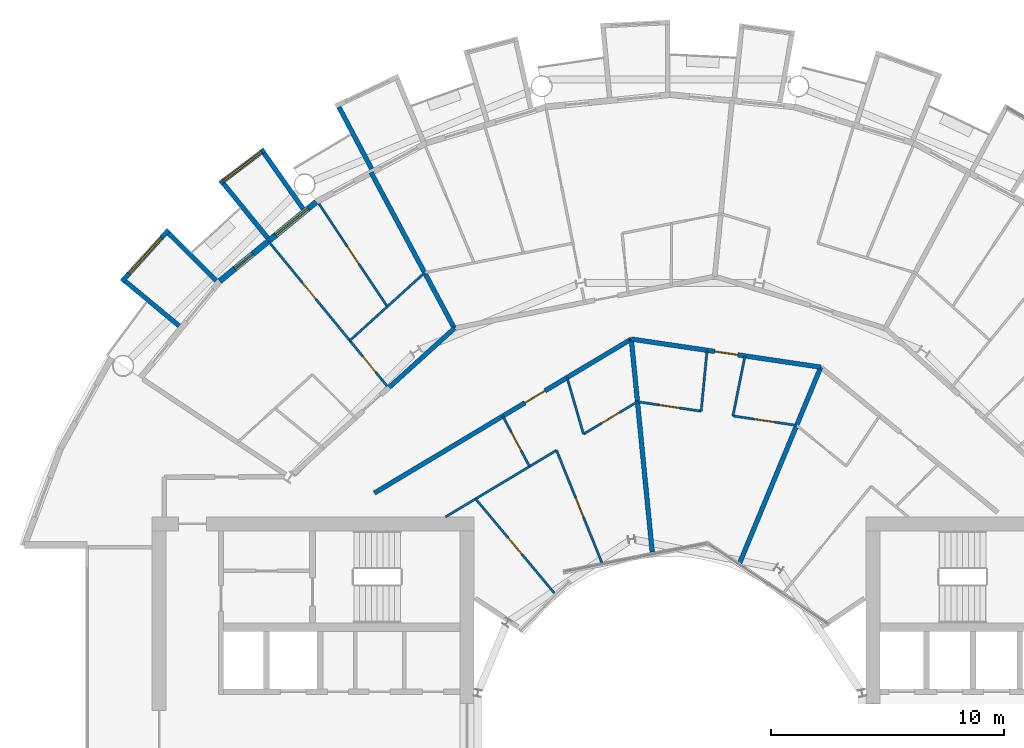
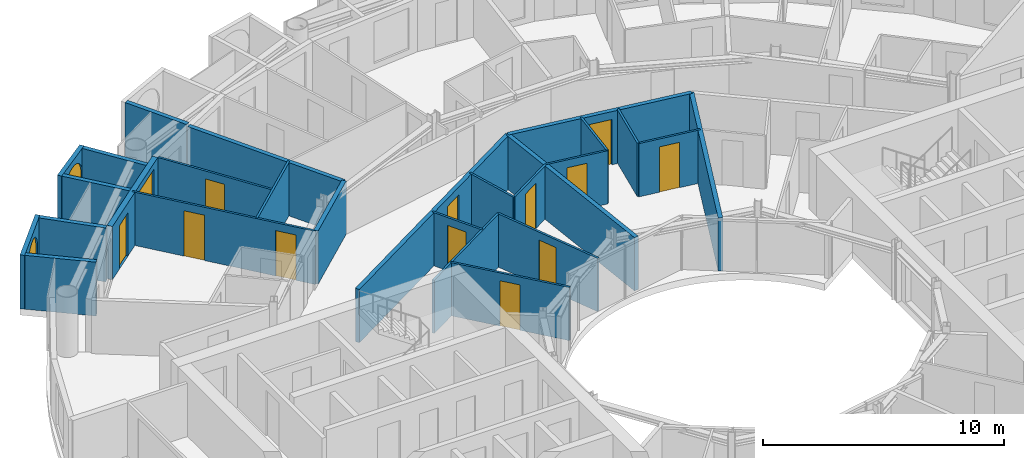
# One storey, part 20 of 28: 27 walls, 12 doors, 3 windows, 15 openings.
"""IFC4 building model written with IfcOpenShell, lengths in metres."""

from ifc_helpers import new_model, si_unit, direction, frame, frame_2d, origin, place, context, subcontext, project, spatial, rectangle, circle, extrude, material, layer, layer_set, type_object, element, fill, save


model = new_model("IFC4")

# Units and contexts
model_context = context("Model", 3, precision=1e-05, world=origin(), true_north=direction((0.0, 1.0)))
body_context = subcontext(model_context, "Body", "Model", "MODEL_VIEW")
ifc_project = project(units=[si_unit("LENGTHUNIT", "METRE"), si_unit("AREAUNIT", "SQUARE_METRE"), si_unit("VOLUMEUNIT", "CUBIC_METRE"), si_unit("PLANEANGLEUNIT", "RADIAN"), si_unit("MASSUNIT", "GRAM", prefix="KILO")], contexts=[model_context])

# Site, building, storey
site_placement = place(None, origin())
site = spatial("IfcSite", under=ifc_project, at=site_placement, CompositionType="ELEMENT")
building_placement = place(site_placement, origin())
building = spatial("IfcBuilding", under=site, at=building_placement, Name="Maasbend Ring Residences", CompositionType="ELEMENT")
storey_placement = place(building_placement, frame((0.0, 0.0, 133.0)))
storey = spatial("IfcBuildingStorey", under=building, at=storey_placement, Name="L38", CompositionType="ELEMENT", Elevation=133.0)

# Wall, opening, door
ifc_material_1 = material(Name="Concrete C30/37", Category="concrete")
ifc_layer_1 = layer(ifc_material_1, 0.199951171875)
ifc_layer_set_1 = layer_set([ifc_layer_1], Name="Concrete C30/37")
wall_type_1 = type_object("IfcWallType", Name="CORRIDOR WALL 200 CONCRETE", PredefinedType="PARTITIONING", material=ifc_layer_set_1)
wall_1_placement = place(storey_placement, frame((-12.675048828125, 10.215087890625, 0.0), z_axis=(0.0, 0.0, 1.0), x_axis=(0.85772761283, 0.514104407867, 0.0)))
wall_1 = element("IfcWall", 1, at=wall_1_placement, inside=storey, type_object=wall_type_1, Name="U-L38-w106", PredefinedType="PARTITIONING", context=body_context, shape_type="SweptSolid", body=[
    extrude(rectangle(XDim=12.845703125, YDim=0.199951171875, at=frame_2d((6.4228515625, 0.0))), origin(), (0.0, 0.0, 1.0), 2.699951171875),
])
opening_1_placement = place(wall_1_placement, frame((7.529052734375, 0.0, 0.0)))
opening_1 = element("IfcOpeningElement", 2, at=opening_1_placement, cuts=wall_1, Name="Opening D-3831", PredefinedType="OPENING", context=body_context, shape_type="SweptSolid", body=[
    extrude(rectangle(XDim=1.0, YDim=2.300048828125, at=frame_2d((0.5, 1.14990234375))), frame((0.0, 0.10986328125, 0.0), z_axis=(0.0, -1.0, 0.0), x_axis=(1.0, 0.0, 0.0)), (0.0, 0.0, 1.0), 0.219970703125),
])
ifc_material_2 = material(Name="Timber, fire-rated, painted", Category="wood")
door_type_1 = type_object("IfcDoorType", Name="FLAT ENTRANCE DOOR 1000 X 2300 FIRE-RATED", OperationType="NOTDEFINED", PredefinedType="DOOR", material=ifc_material_2)
door_1_placement = place(opening_1_placement, origin())
door_1 = element("IfcDoor", 3, at=door_1_placement, inside=storey, type_object=door_type_1, Name="D-3831", OperationType="SINGLE_SWING_RIGHT", OverallHeight=2.300048828125, OverallWidth=1.0, PredefinedType="DOOR", context=body_context, shape_type="SweptSolid", body=[
    extrude(rectangle(XDim=1.0, YDim=2.300048828125, at=frame_2d((0.5, 1.14990234375))), frame((0.0, 0.02490234375, 0.0), z_axis=(0.0, -1.0, 0.0), x_axis=(1.0, 0.0, 0.0)), (0.0, 0.0, 1.0), 0.050048828125),
])
fill(opening_1, door_1)

wall_2_placement = place(storey_placement, frame((-1.656005859375, 16.819091796875, 0.0), z_axis=(0.0, 0.0, 1.0), x_axis=(0.989174071716, -0.146746910856, 0.0)))
wall_2 = element("IfcWall", 4, at=wall_2_placement, inside=storey, type_object=wall_type_1, Name="U-L38-w108", PredefinedType="PARTITIONING", context=body_context, shape_type="SweptSolid", body=[
    extrude(rectangle(XDim=8.2119140625, YDim=0.199951171875, at=frame_2d((4.10595703125, 0.0))), origin(), (0.0, 0.0, 1.0), 2.699951171875),
])
opening_2_placement = place(wall_2_placement, frame((3.614013671875, 0.0, 0.0)))
opening_2 = element("IfcOpeningElement", 5, at=opening_2_placement, cuts=wall_2, Name="Opening D-3828", PredefinedType="OPENING", context=body_context, shape_type="SweptSolid", body=[
    extrude(rectangle(XDim=1.0, YDim=2.300048828125, at=frame_2d((0.5, 1.14990234375))), frame((0.0, 0.10986328125, 0.0), z_axis=(0.0, -1.0, 0.0), x_axis=(1.0, 0.0, 0.0)), (0.0, 0.0, 1.0), 0.219970703125),
])
door_2_placement = place(opening_2_placement, origin())
door_2 = element("IfcDoor", 6, at=door_2_placement, inside=storey, type_object=door_type_1, Name="D-3828", OperationType="SINGLE_SWING_RIGHT", OverallHeight=2.300048828125, OverallWidth=1.0, PredefinedType="DOOR", context=body_context, shape_type="SweptSolid", body=[
    extrude(rectangle(XDim=1.0, YDim=2.300048828125, at=frame_2d((0.5, 1.14990234375))), frame((0.0, 0.02490234375, 0.0), z_axis=(0.0, -1.0, 0.0), x_axis=(1.0, 0.0, 0.0)), (0.0, 0.0, 1.0), 0.050048828125),
])
fill(opening_2, door_2)

# Walls
wall_3_placement = place(storey_placement, frame((-12.055908203125, 14.73095703125, 0.0), z_axis=(0.0, 0.0, 1.0), x_axis=(0.74113339149, 0.671357800296, 0.0)))
element("IfcWall", 7, at=wall_3_placement, inside=storey, type_object=wall_type_1, Name="U-L38-w113", PredefinedType="PARTITIONING", context=body_context, shape_type="SweptSolid", body=[
    extrude(rectangle(XDim=3.810302734375, YDim=0.199951171875, at=frame_2d((1.9052734375, 0.0))), origin(), (0.0, 0.0, 1.0), 2.699951171875),
])
ifc_material_3 = material(Name="Pale anodised aluminium panel", Category="aluminium")
ifc_layer_2 = layer(ifc_material_3, 0.199951171875)
ifc_layer_set_2 = layer_set([ifc_layer_2], Name="EW-BOX")
wall_type_2 = type_object("IfcWallType", Name="EW-BOX", PredefinedType="SOLIDWALL", material=ifc_layer_set_2)
wall_4_placement = place(storey_placement, frame((-12.787109375, 24.113037109375, -0.030029296875), z_axis=(0.0, 0.0, 1.0), x_axis=(-0.468365282436, 0.883534924159, 0.0)))
element("IfcWall", 8, at=wall_4_placement, inside=storey, type_object=wall_type_2, Name="Box side wall N15 right", PredefinedType="SOLIDWALL", context=body_context, shape_type="SweptSolid", body=[
    extrude(rectangle(XDim=3.006103515625, YDim=0.199951171875, at=frame_2d((1.5029296875, 0.0))), origin(), (0.0, 0.0, 1.0), 2.72998046875),
])

# Wall, opening, window
wall_5_placement = place(storey_placement, frame((-17.382080078125, 24.93994140625, -0.030029296875), z_axis=(0.0, 0.0, 1.0), x_axis=(-0.797456837111, -0.603375996329, 0.0)))
wall_5 = element("IfcWall", 9, at=wall_5_placement, inside=storey, type_object=wall_type_2, Name="Box front N17", PredefinedType="SOLIDWALL", context=body_context, shape_type="SweptSolid", body=[
    extrude(rectangle(XDim=2.391357421875, YDim=0.199951171875, at=frame_2d((1.19580078125, 0.0))), origin(), (0.0, 0.0, 1.0), 2.72998046875),
])
opening_3_placement = place(wall_5_placement, frame((0.15576171875, 0.0, 0.330078125)))
opening_3 = element("IfcOpeningElement", 10, at=opening_3_placement, cuts=wall_5, Name="Opening W-RD", PredefinedType="OPENING", context=body_context, shape_type="SweptSolid", body=[
    extrude(circle(Radius=1.0400390625, at=frame_2d((1.0400390625, 1.0400390625))), frame((0.0, 0.10986328125, 0.0), z_axis=(0.0, -1.0, 0.0), x_axis=(1.0, 0.0, 0.0)), (0.0, 0.0, 1.0), 0.219970703125),
])
ifc_material_4 = material(Name="Aluminium and clear glass", Category="aluminium")
window_type_1 = type_object("IfcWindowType", Name="W-RD", PartitioningType="SINGLE_PANEL", PredefinedType="WINDOW", material=ifc_material_4)
window_1_placement = place(opening_3_placement, origin())
window_1 = element("IfcWindow", 11, at=window_1_placement, inside=storey, type_object=window_type_1, Name="Round window N17", OverallHeight=2.080078125, OverallWidth=2.080078125, PartitioningType="SINGLE_PANEL", PredefinedType="WINDOW", context=body_context, shape_type="SweptSolid", body=[
    extrude(circle(Radius=1.0400390625, at=frame_2d((1.0400390625, 1.0400390625))), frame((0.0, 0.030029296875, 0.0), z_axis=(0.0, -1.0, 0.0), x_axis=(1.0, 0.0, 0.0)), (0.0, 0.0, 1.0), 0.06005859375),
])
fill(opening_3, window_1)

# Walls
wall_6_placement = place(storey_placement, frame((-15.72607421875, 22.402099609375, -0.030029296875), z_axis=(0.0, 0.0, 1.0), x_axis=(-0.574826383135, 0.818275399393, 0.0)))
element("IfcWall", 12, at=wall_6_placement, inside=storey, type_object=wall_type_2, Name="Box side wall N17 left", PredefinedType="SOLIDWALL", context=body_context, shape_type="SweptSolid", body=[
    extrude(rectangle(XDim=2.92919921875, YDim=0.199951171875, at=frame_2d((1.464599609375, 0.0))), origin(), (0.0, 0.0, 1.0), 2.72998046875),
])
wall_7_placement = place(storey_placement, frame((-17.24609375, 21.155029296875, -0.030029296875), z_axis=(0.0, 0.0, 1.0), x_axis=(-0.631741648902, 0.775179004516, 0.0)))
element("IfcWall", 13, at=wall_7_placement, inside=storey, type_object=wall_type_2, Name="Box side wall N17 right", PredefinedType="SOLIDWALL", context=body_context, shape_type="SweptSolid", body=[
    extrude(rectangle(XDim=3.005859375, YDim=0.199951171875, at=frame_2d((1.5029296875, 0.0))), origin(), (0.0, 0.0, 1.0), 2.72998046875),
])

# Wall, opening, window
wall_8_placement = place(storey_placement, frame((-21.492919921875, 21.5, -0.030029296875), z_axis=(0.0, 0.0, 1.0), x_axis=(-0.671506829416, -0.740998365753, 0.0)))
wall_8 = element("IfcWall", 14, at=wall_8_placement, inside=storey, type_object=wall_type_2, Name="Box front N19", PredefinedType="SOLIDWALL", context=body_context, shape_type="SweptSolid", body=[
    extrude(rectangle(XDim=2.9931640625, YDim=0.199951171875, at=frame_2d((1.49658203125, 0.0))), origin(), (0.0, 0.0, 1.0), 2.72998046875),
])
opening_4_placement = place(wall_8_placement, frame((0.45654296875, 0.0, 0.330078125)))
opening_4 = element("IfcOpeningElement", 15, at=opening_4_placement, cuts=wall_8, Name="Opening W-RD", PredefinedType="OPENING", context=body_context, shape_type="SweptSolid", body=[
    extrude(circle(Radius=1.0400390625, at=frame_2d((1.0400390625, 1.0400390625))), frame((0.0, 0.10986328125, 0.0), z_axis=(0.0, -1.0, 0.0), x_axis=(1.0, 0.0, 0.0)), (0.0, 0.0, 1.0), 0.219970703125),
])
window_2_placement = place(opening_4_placement, origin())
window_2 = element("IfcWindow", 16, at=window_2_placement, inside=storey, type_object=window_type_1, Name="Round window N19", OverallHeight=2.080078125, OverallWidth=2.080078125, PartitioningType="SINGLE_PANEL", PredefinedType="WINDOW", context=body_context, shape_type="SweptSolid", body=[
    extrude(circle(Radius=1.0400390625, at=frame_2d((1.0400390625, 1.0400390625))), frame((0.0, 0.030029296875, 0.0), z_axis=(0.0, -1.0, 0.0), x_axis=(1.0, 0.0, 0.0)), (0.0, 0.0, 1.0), 0.06005859375),
])
fill(opening_4, window_2)

# Walls
wall_9_placement = place(storey_placement, frame((-19.449951171875, 19.322998046875, -0.030029296875), z_axis=(0.0, 0.0, 1.0), x_axis=(-0.709727076896, 0.704476739375, 0.0)))
element("IfcWall", 17, at=wall_9_placement, inside=storey, type_object=wall_type_2, Name="Box side wall N19 left", PredefinedType="SOLIDWALL", context=body_context, shape_type="SweptSolid", body=[
    extrude(rectangle(XDim=2.883056640625, YDim=0.199951171875, at=frame_2d((1.44140625, 0.0))), origin(), (0.0, 0.0, 1.0), 2.72998046875),
])
wall_10_placement = place(storey_placement, frame((-21.041015625, 17.384033203125, -0.030029296875), z_axis=(0.0, 0.0, 1.0), x_axis=(-0.770784861449, 0.63709551667, 0.0)))
element("IfcWall", 18, at=wall_10_placement, inside=storey, type_object=wall_type_2, Name="Box side wall N19 right", PredefinedType="SOLIDWALL", context=body_context, shape_type="SweptSolid", body=[
    extrude(rectangle(XDim=3.005859375, YDim=0.199951171875, at=frame_2d((1.5029296875, 0.0))), origin(), (0.0, 0.0, 1.0), 2.72998046875),
])

# Wall, openings, door, window
ifc_material_5 = material(Name="Aluminium clad insulated panel", Category="aluminium")
ifc_layer_3 = layer(ifc_material_5, 0.25)
ifc_layer_set_3 = layer_set([ifc_layer_3], Name="EW-GL")
wall_type_3 = type_object("IfcWallType", Name="EW-GL", PredefinedType="SOLIDWALL", material=ifc_layer_set_3)
wall_11_placement = place(storey_placement, frame((-15.1669921875, 22.698974609375, 0.0), z_axis=(0.0, 0.0, 1.0), x_axis=(-0.773019449054, -0.634382322723, 0.0)))
wall_11 = element("IfcWall", 19, at=wall_11_placement, inside=storey, type_object=wall_type_3, Name="External wall N09", PredefinedType="SOLIDWALL", context=body_context, shape_type="SweptSolid", body=[
    extrude(rectangle(XDim=5.351806640625, YDim=0.25, at=frame_2d((2.67578125, 0.0))), origin(), (0.0, 0.0, 1.0), 2.699951171875),
])
opening_5_placement = place(wall_11_placement, frame((0.441162109375, 0.0, 0.300048828125)))
opening_5 = element("IfcOpeningElement", 20, at=opening_5_placement, cuts=wall_11, Name="Opening W-BX", PredefinedType="OPENING", context=body_context, shape_type="SweptSolid", body=[
    extrude(rectangle(XDim=1.800048828125, YDim=2.10009765625, at=frame_2d((0.89990234375, 1.050048828125))), frame((0.0, 0.135009765625, 0.0), z_axis=(0.0, -1.0, 0.0), x_axis=(1.0, 0.0, 0.0)), (0.0, 0.0, 1.0), 0.27001953125),
])
opening_6_placement = place(wall_11_placement, frame((3.510498046875, 0.0, 0.0)))
opening_6 = element("IfcOpeningElement", 21, at=opening_6_placement, cuts=wall_11, Name="Opening D-LG", PredefinedType="OPENING", context=body_context, shape_type="SweptSolid", body=[
    extrude(rectangle(XDim=1.0, YDim=2.199951171875, at=frame_2d((0.5, 1.10009765625))), frame((0.0, 0.135009765625, 0.0), z_axis=(0.0, -1.0, 0.0), x_axis=(1.0, 0.0, 0.0)), (0.0, 0.0, 1.0), 0.27001953125),
])
ifc_material_6 = material(Name="Aluminium and clear glass", Category="aluminium")
door_type_2 = type_object("IfcDoorType", Name="D-LG", OperationType="SINGLE_SWING_LEFT", PredefinedType="DOOR", material=ifc_material_6)
door_3_placement = place(opening_6_placement, origin())
door_3 = element("IfcDoor", 22, at=door_3_placement, inside=storey, type_object=door_type_2, Name="Loggia door N18", OperationType="SINGLE_SWING_LEFT", OverallHeight=2.199951171875, OverallWidth=1.0, PredefinedType="DOOR", context=body_context, shape_type="SweptSolid", body=[
    extrude(rectangle(XDim=1.0, YDim=2.199951171875, at=frame_2d((0.5, 1.10009765625))), frame((0.0, 0.02490234375, 0.0), z_axis=(0.0, -1.0, 0.0), x_axis=(1.0, 0.0, 0.0)), (0.0, 0.0, 1.0), 0.050048828125),
])
fill(opening_6, door_3)
ifc_material_7 = material(Name="Aluminium and clear glass", Category="aluminium")
window_type_2 = type_object("IfcWindowType", Name="W-BX", PartitioningType="DOUBLE_PANEL_VERTICAL", PredefinedType="WINDOW", material=ifc_material_7)
window_3_placement = place(opening_5_placement, origin())
window_3 = element("IfcWindow", 23, at=window_3_placement, inside=storey, type_object=window_type_2, Name="Window N17 room to box", OverallHeight=2.10009765625, OverallWidth=1.800048828125, PartitioningType="SINGLE_PANEL", PredefinedType="WINDOW", context=body_context, shape_type="SweptSolid", body=[
    extrude(rectangle(XDim=1.800048828125, YDim=2.10009765625, at=frame_2d((0.89990234375, 1.050048828125))), frame((0.0, 0.030029296875, 0.0), z_axis=(0.0, -1.0, 0.0), x_axis=(1.0, 0.0, 0.0)), (0.0, 0.0, 1.0), 0.06005859375),
])
fill(opening_5, window_3)

# Wall, openings, doors
ifc_material_8 = material(Name="Gypsum board on steel studs", Category="steel")
ifc_layer_4 = layer(ifc_material_8, 0.10009765625)
ifc_layer_set_4 = layer_set([ifc_layer_4], Name="PARTITION 100 GYPSUM")
wall_type_4 = type_object("IfcWallType", Name="PARTITION 100 GYPSUM", PredefinedType="PARTITIONING", material=ifc_layer_set_4)
wall_12_placement = place(storey_placement, frame((-17.220947265625, 21.02197265625, 0.0), z_axis=(0.0, 0.0, 1.0), x_axis=(0.633735868108, -0.773549513266, 0.0)))
wall_12 = element("IfcWall", 24, at=wall_12_placement, inside=storey, type_object=wall_type_4, Name="U-L38-w032", PredefinedType="PARTITIONING", context=body_context, shape_type="SweptSolid", body=[
    extrude(rectangle(XDim=8.138916015625, YDim=0.10009765625, at=frame_2d((4.0693359375, 0.0))), origin(), (0.0, 0.0, 1.0), 2.699951171875),
])
opening_7_placement = place(wall_12_placement, frame((6.3779296875, 0.0, 0.0)))
opening_7 = element("IfcOpeningElement", 25, at=opening_7_placement, cuts=wall_12, Name="Opening D-3821", PredefinedType="OPENING", context=body_context, shape_type="SweptSolid", body=[
    extrude(rectangle(XDim=0.89990234375, YDim=2.300048828125, at=frame_2d((0.449951171875, 1.14990234375))), frame((0.0, 0.06005859375, 0.0), z_axis=(0.0, -1.0, 0.0), x_axis=(1.0, 0.0, 0.0)), (0.0, 0.0, 1.0), 0.1201171875),
])
opening_8_placement = place(wall_12_placement, frame((2.30810546875, 0.0, 0.0)))
opening_8 = element("IfcOpeningElement", 26, at=opening_8_placement, cuts=wall_12, Name="Opening D-3822", PredefinedType="OPENING", context=body_context, shape_type="SweptSolid", body=[
    extrude(rectangle(XDim=0.89990234375, YDim=2.300048828125, at=frame_2d((0.449951171875, 1.14990234375))), frame((0.0, 0.06005859375, 0.0), z_axis=(0.0, -1.0, 0.0), x_axis=(1.0, 0.0, 0.0)), (0.0, 0.0, 1.0), 0.1201171875),
])
ifc_material_9 = material(Name="Timber, painted", Category="wood")
door_type_3 = type_object("IfcDoorType", Name="INTERNAL DOOR 900 X 2300", OperationType="NOTDEFINED", PredefinedType="DOOR", material=ifc_material_9)
door_4_placement = place(opening_7_placement, origin())
door_4 = element("IfcDoor", 27, at=door_4_placement, inside=storey, type_object=door_type_3, Name="D-3821", OperationType="SINGLE_SWING_RIGHT", OverallHeight=2.300048828125, OverallWidth=0.89990234375, PredefinedType="DOOR", context=body_context, shape_type="SweptSolid", body=[
    extrude(rectangle(XDim=0.89990234375, YDim=2.300048828125, at=frame_2d((0.449951171875, 1.14990234375))), frame((0.0, 0.02490234375, 0.0), z_axis=(0.0, -1.0, 0.0), x_axis=(1.0, 0.0, 0.0)), (0.0, 0.0, 1.0), 0.050048828125),
])
fill(opening_7, door_4)
door_5_placement = place(opening_8_placement, origin())
door_5 = element("IfcDoor", 28, at=door_5_placement, inside=storey, type_object=door_type_3, Name="D-3822", OperationType="SINGLE_SWING_LEFT", OverallHeight=2.300048828125, OverallWidth=0.89990234375, PredefinedType="DOOR", context=body_context, shape_type="SweptSolid", body=[
    extrude(rectangle(XDim=0.89990234375, YDim=2.300048828125, at=frame_2d((0.449951171875, 1.14990234375))), frame((0.0, 0.02490234375, 0.0), z_axis=(0.0, -1.0, 0.0), x_axis=(1.0, 0.0, 0.0)), (0.0, 0.0, 1.0), 0.050048828125),
])
fill(opening_8, door_5)

# Wall, opening, door
wall_13_placement = place(storey_placement, frame((-15.053955078125, 22.6240234375, 0.0), z_axis=(0.0, 0.0, 1.0), x_axis=(0.553913391217, -0.832574294, 0.0)))
wall_13 = element("IfcWall", 29, at=wall_13_placement, inside=storey, type_object=wall_type_4, Name="U-L38-w037", PredefinedType="PARTITIONING", context=body_context, shape_type="SweptSolid", body=[
    extrude(rectangle(XDim=5.300537109375, YDim=0.10009765625, at=frame_2d((2.650390625, 0.0))), origin(), (0.0, 0.0, 1.0), 2.699951171875),
])
opening_9_placement = place(wall_13_placement, frame((2.199951171875, 0.0, 0.0)))
opening_9 = element("IfcOpeningElement", 30, at=opening_9_placement, cuts=wall_13, Name="Opening D-3823", PredefinedType="OPENING", context=body_context, shape_type="SweptSolid", body=[
    extrude(rectangle(XDim=0.89990234375, YDim=2.300048828125, at=frame_2d((0.449951171875, 1.14990234375))), frame((0.0, 0.06005859375, 0.0), z_axis=(0.0, -1.0, 0.0), x_axis=(1.0, 0.0, 0.0)), (0.0, 0.0, 1.0), 0.1201171875),
])
door_6_placement = place(opening_9_placement, origin())
door_6 = element("IfcDoor", 31, at=door_6_placement, inside=storey, type_object=door_type_3, Name="D-3823", OperationType="SINGLE_SWING_LEFT", OverallHeight=2.300048828125, OverallWidth=0.89990234375, PredefinedType="DOOR", context=body_context, shape_type="SweptSolid", body=[
    extrude(rectangle(XDim=0.89990234375, YDim=2.300048828125, at=frame_2d((0.449951171875, 1.14990234375))), frame((0.0, 0.02490234375, 0.0), z_axis=(0.0, -1.0, 0.0), x_axis=(1.0, 0.0, 0.0)), (0.0, 0.0, 1.0), 0.050048828125),
])
fill(opening_9, door_6)

wall_14_placement = place(storey_placement, frame((-8.3349609375, 9.969970703125, 0.0), z_axis=(0.0, 0.0, 1.0), x_axis=(0.641376424834, -0.767226356213, 0.0)))
wall_14 = element("IfcWall", 32, at=wall_14_placement, inside=storey, type_object=wall_type_4, Name="U-L38-w045", PredefinedType="PARTITIONING", context=body_context, shape_type="SweptSolid", body=[
    extrude(rectangle(XDim=5.274658203125, YDim=0.10009765625, at=frame_2d((2.63720703125, 0.0))), origin(), (0.0, 0.0, 1.0), 2.699951171875),
])
opening_10_placement = place(wall_14_placement, frame((2.18701171875, 0.0, 0.0)))
opening_10 = element("IfcOpeningElement", 33, at=opening_10_placement, cuts=wall_14, Name="Opening D-3835", PredefinedType="OPENING", context=body_context, shape_type="SweptSolid", body=[
    extrude(rectangle(XDim=0.89990234375, YDim=2.300048828125, at=frame_2d((0.449951171875, 1.14990234375))), frame((0.0, 0.06005859375, 0.0), z_axis=(0.0, -1.0, 0.0), x_axis=(1.0, 0.0, 0.0)), (0.0, 0.0, 1.0), 0.1201171875),
])
door_7_placement = place(opening_10_placement, origin())
door_7 = element("IfcDoor", 34, at=door_7_placement, inside=storey, type_object=door_type_3, Name="D-3835", OperationType="SINGLE_SWING_RIGHT", OverallHeight=2.300048828125, OverallWidth=0.89990234375, PredefinedType="DOOR", context=body_context, shape_type="SweptSolid", body=[
    extrude(rectangle(XDim=0.89990234375, YDim=2.300048828125, at=frame_2d((0.449951171875, 1.14990234375))), frame((0.0, 0.02490234375, 0.0), z_axis=(0.0, -1.0, 0.0), x_axis=(1.0, 0.0, 0.0)), (0.0, 0.0, 1.0), 0.050048828125),
])
fill(opening_10, door_7)

wall_15_placement = place(storey_placement, frame((-7.166015625, 13.51708984375, 0.0), z_axis=(0.0, 0.0, 1.0), x_axis=(0.468337293896, -0.883549760425, 0.0)))
wall_15 = element("IfcWall", 35, at=wall_15_placement, inside=storey, type_object=wall_type_4, Name="U-L38-w049", PredefinedType="PARTITIONING", context=body_context, shape_type="SweptSolid", body=[
    extrude(rectangle(XDim=2.44482421875, YDim=0.10009765625, at=frame_2d((1.222412109375, 0.0))), origin(), (0.0, 0.0, 1.0), 2.699951171875),
])
opening_11_placement = place(wall_15_placement, frame((0.77197265625, 0.0, 0.0)))
opening_11 = element("IfcOpeningElement", 36, at=opening_11_placement, cuts=wall_15, Name="Opening D-3833", PredefinedType="OPENING", context=body_context, shape_type="SweptSolid", body=[
    extrude(rectangle(XDim=0.89990234375, YDim=2.300048828125, at=frame_2d((0.449951171875, 1.14990234375))), frame((0.0, 0.06005859375, 0.0), z_axis=(0.0, -1.0, 0.0), x_axis=(1.0, 0.0, 0.0)), (0.0, 0.0, 1.0), 0.1201171875),
])
door_8_placement = place(opening_11_placement, origin())
door_8 = element("IfcDoor", 37, at=door_8_placement, inside=storey, type_object=door_type_3, Name="D-3833", OperationType="SINGLE_SWING_LEFT", OverallHeight=2.300048828125, OverallWidth=0.89990234375, PredefinedType="DOOR", context=body_context, shape_type="SweptSolid", body=[
    extrude(rectangle(XDim=0.89990234375, YDim=2.300048828125, at=frame_2d((0.449951171875, 1.14990234375))), frame((0.0, 0.02490234375, 0.0), z_axis=(0.0, -1.0, 0.0), x_axis=(1.0, 0.0, 0.0)), (0.0, 0.0, 1.0), 0.050048828125),
])
fill(opening_11, door_8)

wall_16_placement = place(storey_placement, frame((-4.864013671875, 12.051025390625, 0.0), z_axis=(0.0, 0.0, 1.0), x_axis=(0.374372761824, -0.927278294367, 0.0)))
wall_16 = element("IfcWall", 38, at=wall_16_placement, inside=storey, type_object=wall_type_4, Name="U-L38-w053", PredefinedType="PARTITIONING", context=body_context, shape_type="SweptSolid", body=[
    extrude(rectangle(XDim=5.275634765625, YDim=0.10009765625, at=frame_2d((2.6376953125, 0.0))), origin(), (0.0, 0.0, 1.0), 2.699951171875),
])
opening_12_placement = place(wall_16_placement, frame((2.18798828125, 0.0, 0.0)))
opening_12 = element("IfcOpeningElement", 39, at=opening_12_placement, cuts=wall_16, Name="Opening D-3834", PredefinedType="OPENING", context=body_context, shape_type="SweptSolid", body=[
    extrude(rectangle(XDim=0.89990234375, YDim=2.300048828125, at=frame_2d((0.449951171875, 1.14990234375))), frame((0.0, 0.06005859375, 0.0), z_axis=(0.0, -1.0, 0.0), x_axis=(1.0, 0.0, 0.0)), (0.0, 0.0, 1.0), 0.1201171875),
])
door_9_placement = place(opening_12_placement, origin())
door_9 = element("IfcDoor", 40, at=door_9_placement, inside=storey, type_object=door_type_3, Name="D-3834", OperationType="SINGLE_SWING_RIGHT", OverallHeight=2.300048828125, OverallWidth=0.89990234375, PredefinedType="DOOR", context=body_context, shape_type="SweptSolid", body=[
    extrude(rectangle(XDim=0.89990234375, YDim=2.300048828125, at=frame_2d((0.449951171875, 1.14990234375))), frame((0.0, 0.02490234375, 0.0), z_axis=(0.0, -1.0, 0.0), x_axis=(1.0, 0.0, 0.0)), (0.0, 0.0, 1.0), 0.050048828125),
])
fill(opening_12, door_9)

# Walls
wall_17_placement = place(storey_placement, frame((-4.410888671875, 15.16796875, 0.0), z_axis=(0.0, 0.0, 1.0), x_axis=(0.279201466266, -0.960232545395, 0.0)))
element("IfcWall", 41, at=wall_17_placement, inside=storey, type_object=wall_type_4, Name="U-L38-w055", PredefinedType="PARTITIONING", context=body_context, shape_type="SweptSolid", body=[
    extrude(rectangle(XDim=2.5244140625, YDim=0.10009765625, at=frame_2d((1.26220703125, 0.0))), origin(), (0.0, 0.0, 1.0), 2.699951171875),
])
wall_18_placement = place(storey_placement, frame((1.339111328125, 13.72705078125, 0.0), z_axis=(0.0, 0.0, 1.0), x_axis=(0.096830025237, 0.995300932489, 0.0)))
element("IfcWall", 42, at=wall_18_placement, inside=storey, type_object=wall_type_4, Name="U-L38-w065", PredefinedType="PARTITIONING", context=body_context, shape_type="SweptSolid", body=[
    extrude(rectangle(XDim=2.6220703125, YDim=0.10009765625, at=frame_2d((1.31103515625, 0.0))), origin(), (0.0, 0.0, 1.0), 2.699951171875),
])
wall_19_placement = place(storey_placement, frame((2.7041015625, 13.52392578125, 0.0), z_axis=(0.0, 0.0, 1.0), x_axis=(0.195937128464, 0.980616460034, 0.0)))
element("IfcWall", 43, at=wall_19_placement, inside=storey, type_object=wall_type_4, Name="U-L38-w069", PredefinedType="PARTITIONING", context=body_context, shape_type="SweptSolid", body=[
    extrude(rectangle(XDim=2.622802734375, YDim=0.10009765625, at=frame_2d((1.3115234375, 0.0))), origin(), (0.0, 0.0, 1.0), 2.699951171875),
])
wall_20_placement = place(storey_placement, frame((-9.623046875, 9.195068359375, 0.0), z_axis=(0.0, 0.0, 1.0), x_axis=(0.857574416464, 0.514359913122, 0.0)))
element("IfcWall", 44, at=wall_20_placement, inside=storey, type_object=wall_type_4, Name="U-L38-w100", PredefinedType="PARTITIONING", context=body_context, shape_type="SweptSolid", body=[
    extrude(rectangle(XDim=5.550537109375, YDim=0.10009765625, at=frame_2d((2.775390625, 0.0))), origin(), (0.0, 0.0, 1.0), 2.699951171875),
])

# Wall, opening, door
wall_21_placement = place(storey_placement, frame((-3.7060546875, 12.743896484375, 0.0), z_axis=(0.0, 0.0, 1.0), x_axis=(0.857524856518, 0.514442533674, 0.0)))
wall_21 = element("IfcWall", 45, at=wall_21_placement, inside=storey, type_object=wall_type_4, Name="U-L38-w101", PredefinedType="PARTITIONING", context=body_context, shape_type="SweptSolid", body=[
    extrude(rectangle(XDim=2.698486328125, YDim=0.10009765625, at=frame_2d((1.34912109375, 0.0))), origin(), (0.0, 0.0, 1.0), 2.699951171875),
])
opening_13_placement = place(wall_21_placement, frame((0.89892578125, 0.0, 0.0)))
opening_13 = element("IfcOpeningElement", 46, at=opening_13_placement, cuts=wall_21, Name="Opening D-3832", PredefinedType="OPENING", context=body_context, shape_type="SweptSolid", body=[
    extrude(rectangle(XDim=0.89990234375, YDim=2.300048828125, at=frame_2d((0.449951171875, 1.14990234375))), frame((0.0, 0.06005859375, 0.0), z_axis=(0.0, -1.0, 0.0), x_axis=(1.0, 0.0, 0.0)), (0.0, 0.0, 1.0), 0.1201171875),
])
door_10_placement = place(opening_13_placement, origin())
door_10 = element("IfcDoor", 47, at=door_10_placement, inside=storey, type_object=door_type_3, Name="D-3832", OperationType="SINGLE_SWING_RIGHT", OverallHeight=2.300048828125, OverallWidth=0.89990234375, PredefinedType="DOOR", context=body_context, shape_type="SweptSolid", body=[
    extrude(rectangle(XDim=0.89990234375, YDim=2.300048828125, at=frame_2d((0.449951171875, 1.14990234375))), frame((0.0, 0.02490234375, 0.0), z_axis=(0.0, -1.0, 0.0), x_axis=(1.0, 0.0, 0.0)), (0.0, 0.0, 1.0), 0.050048828125),
])
fill(opening_13, door_10)

wall_22_placement = place(storey_placement, frame((-1.39208984375, 14.132080078125, 0.0), z_axis=(0.0, 0.0, 1.0), x_axis=(0.989153611195, -0.146884762516, 0.0)))
wall_22 = element("IfcWall", 48, at=wall_22_placement, inside=storey, type_object=wall_type_4, Name="U-L38-w104", PredefinedType="PARTITIONING", context=body_context, shape_type="SweptSolid", body=[
    extrude(rectangle(XDim=2.76416015625, YDim=0.10009765625, at=frame_2d((1.382080078125, 0.0))), origin(), (0.0, 0.0, 1.0), 2.699951171875),
])
opening_14_placement = place(wall_22_placement, frame((0.931884765625, 0.0, 0.0)))
opening_14 = element("IfcOpeningElement", 49, at=opening_14_placement, cuts=wall_22, Name="Opening D-3830", PredefinedType="OPENING", context=body_context, shape_type="SweptSolid", body=[
    extrude(rectangle(XDim=0.89990234375, YDim=2.300048828125, at=frame_2d((0.449951171875, 1.14990234375))), frame((0.0, 0.06005859375, 0.0), z_axis=(0.0, -1.0, 0.0), x_axis=(1.0, 0.0, 0.0)), (0.0, 0.0, 1.0), 0.1201171875),
])
door_11_placement = place(opening_14_placement, origin())
door_11 = element("IfcDoor", 50, at=door_11_placement, inside=storey, type_object=door_type_3, Name="D-3830", OperationType="SINGLE_SWING_RIGHT", OverallHeight=2.300048828125, OverallWidth=0.89990234375, PredefinedType="DOOR", context=body_context, shape_type="SweptSolid", body=[
    extrude(rectangle(XDim=0.89990234375, YDim=2.300048828125, at=frame_2d((0.449951171875, 1.14990234375))), frame((0.0, 0.02490234375, 0.0), z_axis=(0.0, -1.0, 0.0), x_axis=(1.0, 0.0, 0.0)), (0.0, 0.0, 1.0), 0.050048828125),
])
fill(opening_14, door_11)

wall_23_placement = place(storey_placement, frame((2.70703125, 13.52294921875, 0.0), z_axis=(0.0, 0.0, 1.0), x_axis=(0.98916494308, -0.146808430897, 0.0)))
wall_23 = element("IfcWall", 51, at=wall_23_placement, inside=storey, type_object=wall_type_4, Name="U-L38-w105", PredefinedType="PARTITIONING", context=body_context, shape_type="SweptSolid", body=[
    extrude(rectangle(XDim=2.7587890625, YDim=0.10009765625, at=frame_2d((1.37939453125, 0.0))), origin(), (0.0, 0.0, 1.0), 2.699951171875),
])
opening_15_placement = place(wall_23_placement, frame((0.927001953125, 0.0, 0.0)))
opening_15 = element("IfcOpeningElement", 52, at=opening_15_placement, cuts=wall_23, Name="Opening D-3829", PredefinedType="OPENING", context=body_context, shape_type="SweptSolid", body=[
    extrude(rectangle(XDim=0.89990234375, YDim=2.300048828125, at=frame_2d((0.449951171875, 1.14990234375))), frame((0.0, 0.06005859375, 0.0), z_axis=(0.0, -1.0, 0.0), x_axis=(1.0, 0.0, 0.0)), (0.0, 0.0, 1.0), 0.1201171875),
])
door_12_placement = place(opening_15_placement, origin())
door_12 = element("IfcDoor", 53, at=door_12_placement, inside=storey, type_object=door_type_3, Name="D-3829", OperationType="SINGLE_SWING_LEFT", OverallHeight=2.300048828125, OverallWidth=0.89990234375, PredefinedType="DOOR", context=body_context, shape_type="SweptSolid", body=[
    extrude(rectangle(XDim=0.89990234375, YDim=2.300048828125, at=frame_2d((0.449951171875, 1.14990234375))), frame((0.0, 0.02490234375, 0.0), z_axis=(0.0, -1.0, 0.0), x_axis=(1.0, 0.0, 0.0)), (0.0, 0.0, 1.0), 0.050048828125),
])
fill(opening_15, door_12)

# Walls
wall_24_placement = place(storey_placement, frame((-13.72412109375, 16.7548828125, 0.0), z_axis=(0.0, 0.0, 1.0), x_axis=(0.741022791884, 0.671479874537, 0.0)))
element("IfcWall", 54, at=wall_24_placement, inside=storey, type_object=wall_type_4, Name="U-L38-w120", PredefinedType="PARTITIONING", context=body_context, shape_type="SweptSolid", body=[
    extrude(rectangle(XDim=4.3427734375, YDim=0.10009765625, at=frame_2d((2.17138671875, 0.0))), origin(), (0.0, 0.0, 1.0), 2.699951171875),
])
ifc_material_10 = material(Name="Concrete C30/37", Category="concrete")
ifc_layer_5 = layer(ifc_material_10, 0.199951171875)
ifc_layer_set_5 = layer_set([ifc_layer_5], Name="Concrete C30/37")
wall_type_5 = type_object("IfcWallType", Name="PARTY WALL 200 CONCRETE", PredefinedType="PARTITIONING", material=ifc_layer_set_5)
wall_25_placement = place(storey_placement, frame((-12.81494140625, 23.962890625, 0.0), z_axis=(0.0, 0.0, 1.0), x_axis=(0.471506520577, -0.881862574925, 0.0)))
element("IfcWall", 55, at=wall_25_placement, inside=storey, type_object=wall_type_5, Name="U-L38-w039", PredefinedType="PARTITIONING", context=body_context, shape_type="SweptSolid", body=[
    extrude(rectangle(XDim=7.57373046875, YDim=0.199951171875, at=frame_2d((3.786865234375, 0.0))), origin(), (0.0, 0.0, 1.0), 2.699951171875),
])
wall_26_placement = place(storey_placement, frame((-1.656005859375, 16.819091796875, 0.0), z_axis=(0.0, 0.0, 1.0), x_axis=(0.097815726767, -0.995204543597, 0.0)))
element("IfcWall", 56, at=wall_26_placement, inside=storey, type_object=wall_type_5, Name="U-L38-w061", PredefinedType="PARTITIONING", context=body_context, shape_type="SweptSolid", body=[
    extrude(rectangle(XDim=9.179931640625, YDim=0.199951171875, at=frame_2d((4.58984375, 0.0))), origin(), (0.0, 0.0, 1.0), 2.699951171875),
])
wall_27_placement = place(storey_placement, frame((2.955078125, 7.132080078125, 0.0), z_axis=(0.0, 0.0, 1.0), x_axis=(0.382556139466, 0.923932248683, 0.0)))
element("IfcWall", 57, at=wall_27_placement, inside=storey, type_object=wall_type_5, Name="U-L38-w071", PredefinedType="PARTITIONING", context=body_context, shape_type="SweptSolid", body=[
    extrude(rectangle(XDim=9.18017578125, YDim=0.199951171875, at=frame_2d((4.590087890625, 0.0))), origin(), (0.0, 0.0, 1.0), 2.699951171875),
])

save(model, "model.ifc")
